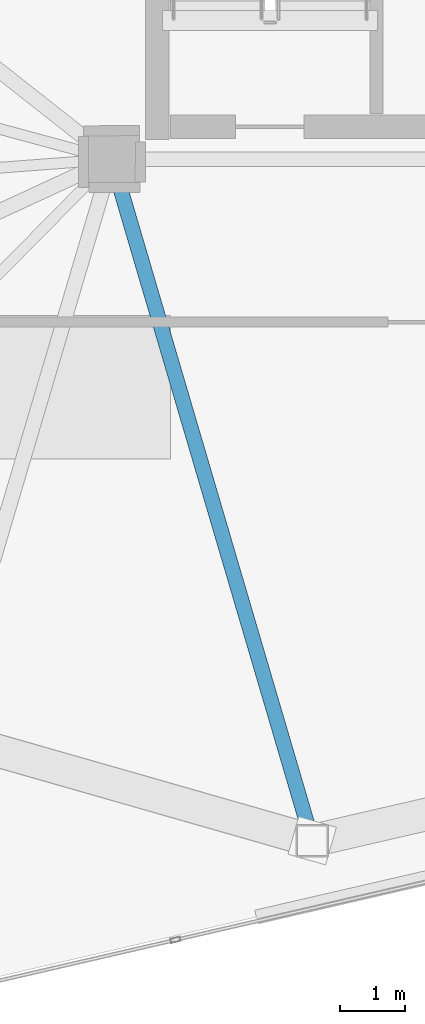
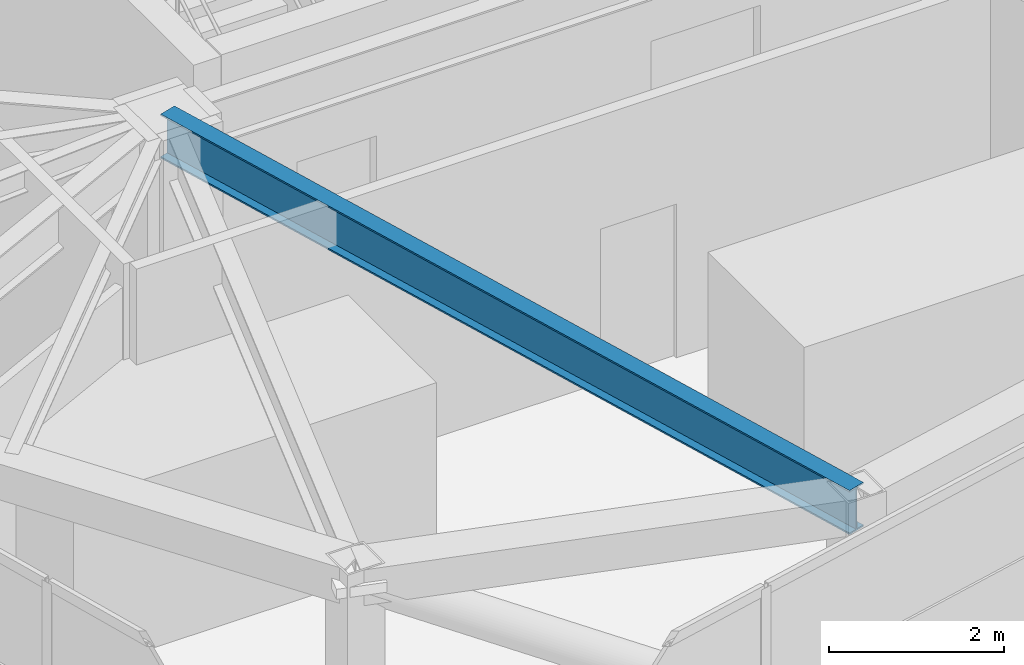
# One storey, part 4 of 21: 1 beam.
"""IFC4 building model written with IfcOpenShell, lengths in metres."""

import ifcopenshell
import ifcopenshell.guid

model = None  # the IFC model being written
_history = None  # IfcOwnerHistory: only IFC2X3 demands one
_inside = {}  # id of a spatial element -> (the spatial element, [elements in it])
_under = {}  # id of a project, library or spatial element -> (it, [spatial elements below it])
_declared = {}  # id of a project -> (the project, [libraries it declares])
_typed = {}  # id of a type object -> (the type object, [elements of that type])
_made_of = {}  # id of a material, layer set ... -> (it, [elements and type objects made of it])


def new_model(schema):
    """Start an empty IFC model of exactly this schema.

    Asked for "IFC4X3", IfcOpenShell would pick the latest addendum, in which some entities
    have other attributes; the version numbers below select the first issue.
    IFC2X3 requires an IfcOwnerHistory on every rooted entity: one is made here for all.
    """
    global model, _history
    if schema == "IFC4X3":
        model = ifcopenshell.file(schema_version=(4, 3, 0, 0))
    else:
        model = ifcopenshell.file(schema=schema)
    _inside.clear()
    _under.clear()
    _declared.clear()
    _typed.clear()
    _made_of.clear()
    _history = None
    if model.schema == "IFC2X3":
        org = make("IfcOrganization", Name="unknown")
        user = make(
            "IfcPersonAndOrganization",
            ThePerson=make("IfcPerson", FamilyName="unknown"),
            TheOrganization=org,
        )
        app = make(
            "IfcApplication",
            ApplicationDeveloper=org,
            Version="unknown",
            ApplicationFullName="unknown",
            ApplicationIdentifier="unknown",
        )
        _history = make(
            "IfcOwnerHistory",
            OwningUser=user,
            OwningApplication=app,
            ChangeAction="ADDED",
            CreationDate=0,
        )
    return model


def make(cls, **values):
    """One entity of the class cls with the attributes given. An attribute that is None is left unset."""
    return model.create_entity(
        cls, **{name: value for name, value in values.items() if value is not None}
    )


def rooted(cls, **values):
    """An entity with a GlobalId (a new one), such as an element, a storey or a relation."""
    return make(cls, GlobalId=ifcopenshell.guid.new(), OwnerHistory=_history, **values)


def si_unit(unit_type, name, prefix=None):
    """IfcSIUnit, for example si_unit("LENGTHUNIT", "METRE", prefix="MILLI")."""
    return make("IfcSIUnit", UnitType=unit_type, Prefix=prefix, Name=name)


def assignment(units):
    """IfcUnitAssignment: the units of a project."""
    return None if units is None else make("IfcUnitAssignment", Units=units)


def point(xyz):
    """IfcCartesianPoint."""
    return None if xyz is None else make("IfcCartesianPoint", Coordinates=xyz)


def direction(xyz):
    """IfcDirection."""
    return None if xyz is None else make("IfcDirection", DirectionRatios=xyz)


def frame(location, z_axis=None, x_axis=None):
    """IfcAxis2Placement3D, a coordinate frame: its origin and axes. An axis left out is left unset."""
    return make(
        "IfcAxis2Placement3D",
        Location=point(location),
        Axis=direction(z_axis),
        RefDirection=direction(x_axis),
    )


def frame_2d(location, x_axis=None):
    """IfcAxis2Placement2D, a coordinate frame in the plane: its origin and x axis."""
    return make(
        "IfcAxis2Placement2D", Location=point(location), RefDirection=direction(x_axis)
    )


def origin():
    """The frame at (0, 0, 0) with its axes left unset."""
    return frame((0.0, 0.0, 0.0))


def origin_2d():
    """The frame at (0, 0) in the plane with its x axis left unset."""
    return frame_2d((0.0, 0.0))


def place(relative_to, where):
    """IfcLocalPlacement: puts the frame where relative to a parent placement (None: the world)."""
    return make(
        "IfcLocalPlacement", PlacementRelTo=relative_to, RelativePlacement=where
    )


def context(
    kind, dimensions, precision=None, world=None, true_north=None, identifier=None
):
    """IfcGeometricRepresentationContext, for example the 3D "Model" context."""
    return make(
        "IfcGeometricRepresentationContext",
        ContextIdentifier=identifier,
        ContextType=kind,
        CoordinateSpaceDimension=dimensions,
        Precision=precision,
        WorldCoordinateSystem=world,
        TrueNorth=true_north,
    )


def subcontext(parent, identifier, kind, view, scale=None):
    """IfcGeometricRepresentationSubContext, for example "Body" below "Model"."""
    return make(
        "IfcGeometricRepresentationSubContext",
        ContextIdentifier=identifier,
        ContextType=kind,
        ParentContext=parent,
        TargetScale=scale,
        TargetView=view,
    )


def project(units=None, contexts=None):
    """IfcProject with its units and contexts."""
    return rooted(
        "IfcProject",
        Name="project",
        RepresentationContexts=contexts,
        UnitsInContext=assignment(units),
    )


def spatial(cls, under=None, at=None, **own):
    """A site, building, storey or space (cls), placed at a placement, below another one or the project."""
    s = rooted(cls, ObjectPlacement=at, **own)
    if under is not None:
        _under.setdefault(under.id(), (under, []))[1].append(s)
    return s


def profile(cls, at=None, kind="AREA", **sizes):
    """A parametric profile (cls). Its sizes go by their IFC names, for example OverallWidth=200.0."""
    return make(cls, ProfileType=kind, Position=at, **sizes)


def i_section(**sizes):
    """IfcIShapeProfileDef."""
    return profile("IfcIShapeProfileDef", **sizes)


def extrude(swept, where, along, depth):
    """IfcExtrudedAreaSolid: the profile swept, set in the frame where, extruded along a direction by depth."""
    return make(
        "IfcExtrudedAreaSolid",
        SweptArea=swept,
        Position=where,
        ExtrudedDirection=direction(along),
        Depth=depth,
    )


def shape(context_of_items, identifier, shape_type, items):
    """IfcShapeRepresentation: the items that make up one representation, for example the "Body"."""
    return make(
        "IfcShapeRepresentation",
        ContextOfItems=context_of_items,
        RepresentationIdentifier=identifier,
        RepresentationType=shape_type,
        Items=items,
    )


def material(Name=None, Category=None):
    """IfcMaterial."""
    return make("IfcMaterial", Name=Name, Category=Category)


def material_profile(
    of_material, cross_section, Name=None, Category=None, Priority=None
):
    """IfcMaterialProfile: a cross section and its material."""
    return make(
        "IfcMaterialProfile",
        Name=Name,
        Material=of_material,
        Profile=cross_section,
        Priority=Priority,
        Category=Category,
    )


def profile_set(profiles, Name=None, composite=None):
    """IfcMaterialProfileSet."""
    return make(
        "IfcMaterialProfileSet",
        Name=Name,
        MaterialProfiles=profiles,
        CompositeProfile=composite,
    )


def made_of(thing, what):
    """Note that an element or type object is made of a material, layer set ...; save() writes the relation."""
    if what is not None:
        _made_of.setdefault(what.id(), (what, []))[1].append(thing)
    return thing


def type_object(cls, material=None, **own):
    """A type object (cls), such as IfcWallType, which elements share."""
    return made_of(rooted(cls, **own), material)


def element(
    cls,
    number,
    at=None,
    inside=None,
    cuts=None,
    type_object=None,
    material=None,
    context=None,
    identifier="Body",
    shape_type=None,
    held_by="IfcProductDefinitionShape",
    body=None,
    shapes=None,
    **own,
):
    """One element of the class cls, such as IfcWall. Its Tag is "e" and its number.

    at: its placement. inside: the storey or other place that contains it. cuts: it is an
    opening in that element (IfcRelVoidsElement). A single representation is given by context,
    identifier, shape_type and body (its items); several are given by shapes. held_by: the class
    of the entity that holds the representations. save() writes the other relations.
    """
    e = rooted(cls, Tag="e%d" % number, ObjectPlacement=at, **own)
    if body is not None:
        shapes = [shape(context, identifier, shape_type, body)]
    if shapes is not None:
        e.Representation = make(held_by, Representations=shapes)
    if inside is not None:
        _inside.setdefault(inside.id(), (inside, []))[1].append(e)
    if cuts is not None:
        rooted(
            "IfcRelVoidsElement", RelatingBuildingElement=cuts, RelatedOpeningElement=e
        )
    if type_object is not None:
        _typed.setdefault(type_object.id(), (type_object, []))[1].append(e)
    return made_of(e, material)


def aggregate(whole, parts):
    """IfcRelAggregates: a whole, such as a stair, and the parts it consists of."""
    return rooted("IfcRelAggregates", RelatingObject=whole, RelatedObjects=parts)


def save(model, path):
    """Write the relations noted so far, then the file.

    IfcRelAggregates (storeys below a building ...), IfcRelContainedInSpatialStructure (elements
    in a storey), IfcRelDefinesByType, IfcRelAssociatesMaterial and IfcRelDeclares: one each for
    every whole, place, type object, material and project.
    """
    for whole, parts in _under.values():
        aggregate(whole, parts)
    for where, things in _inside.values():
        rooted(
            "IfcRelContainedInSpatialStructure",
            RelatedElements=things,
            RelatingStructure=where,
        )
    for kind, things in _typed.values():
        rooted("IfcRelDefinesByType", RelatedObjects=things, RelatingType=kind)
    for what, things in _made_of.values():
        rooted("IfcRelAssociatesMaterial", RelatedObjects=things, RelatingMaterial=what)
    for by, libraries in _declared.values():
        rooted("IfcRelDeclares", RelatingContext=by, RelatedDefinitions=libraries)
    model.write(path)


model = new_model("IFC4")

# Units and contexts
model_context = context("Model", 3, precision=1e-05, world=origin(), true_north=direction((0.0, 1.0)))
body_context = subcontext(model_context, "Body", "Model", "MODEL_VIEW")
ifc_project = project(units=[si_unit("LENGTHUNIT", "METRE"), si_unit("AREAUNIT", "SQUARE_METRE"), si_unit("VOLUMEUNIT", "CUBIC_METRE"), si_unit("PLANEANGLEUNIT", "RADIAN"), si_unit("MASSUNIT", "GRAM", prefix="KILO")], contexts=[model_context])

# Site, building, storey
site_placement = place(None, origin())
site = spatial("IfcSite", under=ifc_project, at=site_placement, CompositionType="ELEMENT")
building_placement = place(site_placement, origin())
building = spatial("IfcBuilding", under=site, at=building_placement, Name="Talar Marvaseh", CompositionType="ELEMENT")
storey_placement = place(building_placement, frame((0.0, 0.0, 308.0)))
storey = spatial("IfcBuildingStorey", under=building, at=storey_placement, Name="L82", CompositionType="ELEMENT", Elevation=308.0)

# Beam
ifc_material = material(Name="Steel S355", Category="steel")
ifc_material_profile = material_profile(ifc_material, i_section(OverallWidth=0.22998046875, OverallDepth=0.616943359375, WebThickness=0.01318359375, FlangeThickness=0.022216796875, at=origin_2d()), Name="W610x140")
ifc_profile_set = profile_set([ifc_material_profile], Name="Steel S355")
beam_type = type_object("IfcBeamType", Name="Zone 4 Radial Floor Girder W610x140", PredefinedType="BEAM", material=ifc_profile_set)
beam_placement = place(storey_placement, frame((21.77587890625, 15.0400390625, 3.431396484375), z_axis=(-0.28212146763, 0.959378693479, 0.0), x_axis=(-0.959378693479, -0.28212146763, 0.0)))
element("IfcBeam", 1, at=beam_placement, inside=storey, type_object=beam_type, Name="L82 Zone 4 Radial Floor Girder W610x140", PredefinedType="BEAM", context=body_context, shape_type="SweptSolid", body=[
    extrude(i_section(OverallWidth=0.22998046875, OverallDepth=0.616943359375, WebThickness=0.01318359375, FlangeThickness=0.022216796875, at=origin_2d()), origin(), (0.0, 0.0, 1.0), 10.90283203125),
])

save(model, "model.ifc")
